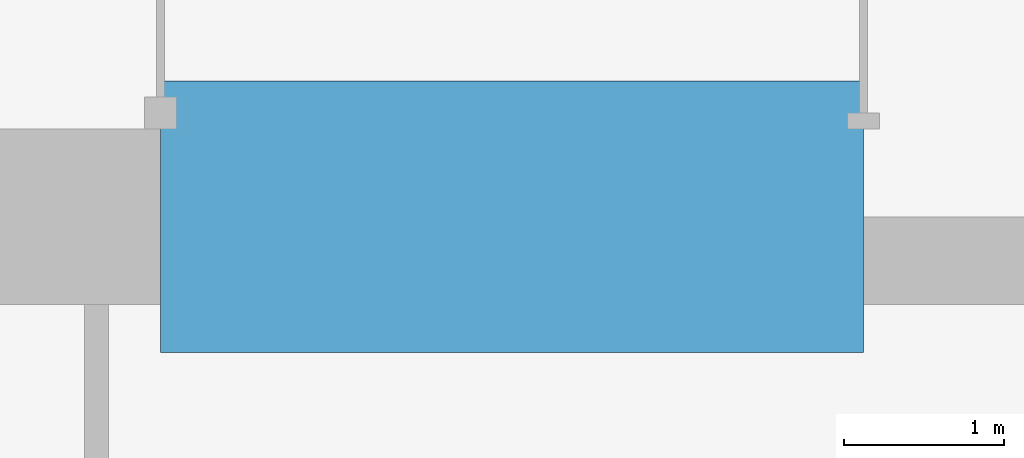
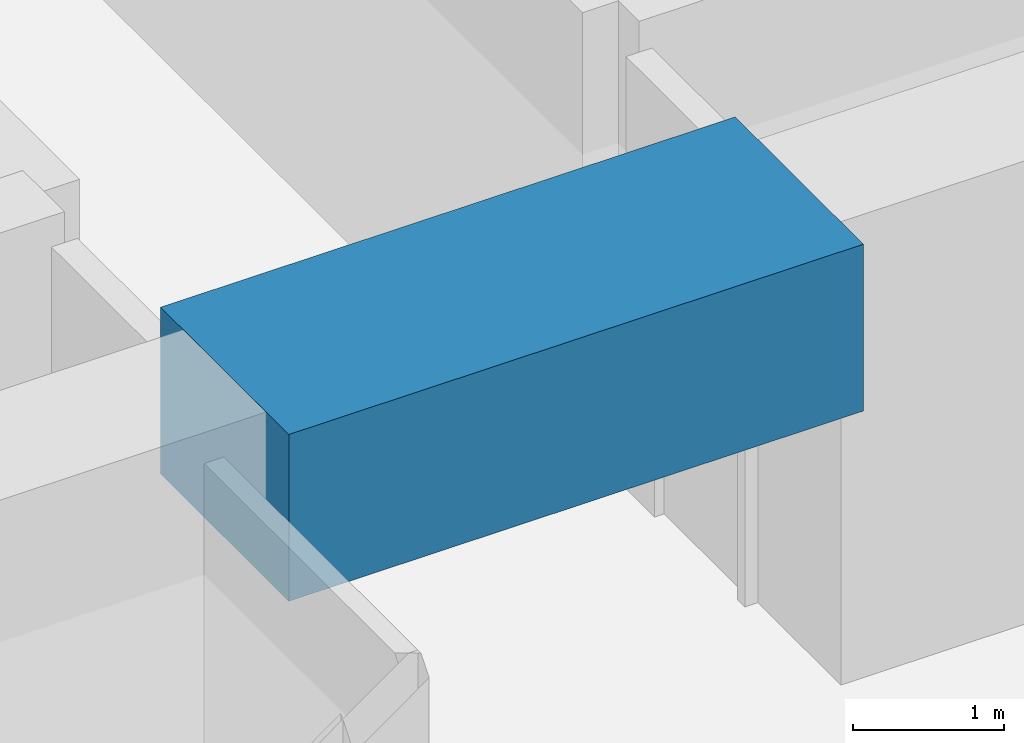
# One storey, part 13 of 45: 1 beam.
"""IFC4 building model written with IfcOpenShell, lengths in metres."""

import ifcopenshell
import ifcopenshell.guid

model = None  # the IFC model being written
_history = None  # IfcOwnerHistory: only IFC2X3 demands one
_inside = {}  # id of a spatial element -> (the spatial element, [elements in it])
_under = {}  # id of a project, library or spatial element -> (it, [spatial elements below it])
_declared = {}  # id of a project -> (the project, [libraries it declares])
_typed = {}  # id of a type object -> (the type object, [elements of that type])
_made_of = {}  # id of a material, layer set ... -> (it, [elements and type objects made of it])


def new_model(schema):
    """Start an empty IFC model of exactly this schema.

    Asked for "IFC4X3", IfcOpenShell would pick the latest addendum, in which some entities
    have other attributes; the version numbers below select the first issue.
    IFC2X3 requires an IfcOwnerHistory on every rooted entity: one is made here for all.
    """
    global model, _history
    if schema == "IFC4X3":
        model = ifcopenshell.file(schema_version=(4, 3, 0, 0))
    else:
        model = ifcopenshell.file(schema=schema)
    _inside.clear()
    _under.clear()
    _declared.clear()
    _typed.clear()
    _made_of.clear()
    _history = None
    if model.schema == "IFC2X3":
        org = make("IfcOrganization", Name="unknown")
        user = make(
            "IfcPersonAndOrganization",
            ThePerson=make("IfcPerson", FamilyName="unknown"),
            TheOrganization=org,
        )
        app = make(
            "IfcApplication",
            ApplicationDeveloper=org,
            Version="unknown",
            ApplicationFullName="unknown",
            ApplicationIdentifier="unknown",
        )
        _history = make(
            "IfcOwnerHistory",
            OwningUser=user,
            OwningApplication=app,
            ChangeAction="ADDED",
            CreationDate=0,
        )
    return model


def make(cls, **values):
    """One entity of the class cls with the attributes given. An attribute that is None is left unset."""
    return model.create_entity(
        cls, **{name: value for name, value in values.items() if value is not None}
    )


def rooted(cls, **values):
    """An entity with a GlobalId (a new one), such as an element, a storey or a relation."""
    return make(cls, GlobalId=ifcopenshell.guid.new(), OwnerHistory=_history, **values)


def si_unit(unit_type, name, prefix=None):
    """IfcSIUnit, for example si_unit("LENGTHUNIT", "METRE", prefix="MILLI")."""
    return make("IfcSIUnit", UnitType=unit_type, Prefix=prefix, Name=name)


def assignment(units):
    """IfcUnitAssignment: the units of a project."""
    return None if units is None else make("IfcUnitAssignment", Units=units)


def point(xyz):
    """IfcCartesianPoint."""
    return None if xyz is None else make("IfcCartesianPoint", Coordinates=xyz)


def direction(xyz):
    """IfcDirection."""
    return None if xyz is None else make("IfcDirection", DirectionRatios=xyz)


def frame(location, z_axis=None, x_axis=None):
    """IfcAxis2Placement3D, a coordinate frame: its origin and axes. An axis left out is left unset."""
    return make(
        "IfcAxis2Placement3D",
        Location=point(location),
        Axis=direction(z_axis),
        RefDirection=direction(x_axis),
    )


def frame_2d(location, x_axis=None):
    """IfcAxis2Placement2D, a coordinate frame in the plane: its origin and x axis."""
    return make(
        "IfcAxis2Placement2D", Location=point(location), RefDirection=direction(x_axis)
    )


def origin():
    """The frame at (0, 0, 0) with its axes left unset."""
    return frame((0.0, 0.0, 0.0))


def origin_2d():
    """The frame at (0, 0) in the plane with its x axis left unset."""
    return frame_2d((0.0, 0.0))


def place(relative_to, where):
    """IfcLocalPlacement: puts the frame where relative to a parent placement (None: the world)."""
    return make(
        "IfcLocalPlacement", PlacementRelTo=relative_to, RelativePlacement=where
    )


def context(
    kind, dimensions, precision=None, world=None, true_north=None, identifier=None
):
    """IfcGeometricRepresentationContext, for example the 3D "Model" context."""
    return make(
        "IfcGeometricRepresentationContext",
        ContextIdentifier=identifier,
        ContextType=kind,
        CoordinateSpaceDimension=dimensions,
        Precision=precision,
        WorldCoordinateSystem=world,
        TrueNorth=true_north,
    )


def subcontext(parent, identifier, kind, view, scale=None):
    """IfcGeometricRepresentationSubContext, for example "Body" below "Model"."""
    return make(
        "IfcGeometricRepresentationSubContext",
        ContextIdentifier=identifier,
        ContextType=kind,
        ParentContext=parent,
        TargetScale=scale,
        TargetView=view,
    )


def project(units=None, contexts=None):
    """IfcProject with its units and contexts."""
    return rooted(
        "IfcProject",
        Name="project",
        RepresentationContexts=contexts,
        UnitsInContext=assignment(units),
    )


def spatial(cls, under=None, at=None, **own):
    """A site, building, storey or space (cls), placed at a placement, below another one or the project."""
    s = rooted(cls, ObjectPlacement=at, **own)
    if under is not None:
        _under.setdefault(under.id(), (under, []))[1].append(s)
    return s


def profile(cls, at=None, kind="AREA", **sizes):
    """A parametric profile (cls). Its sizes go by their IFC names, for example OverallWidth=200.0."""
    return make(cls, ProfileType=kind, Position=at, **sizes)


def rectangle(**sizes):
    """IfcRectangleProfileDef."""
    return profile("IfcRectangleProfileDef", **sizes)


def extrude(swept, where, along, depth):
    """IfcExtrudedAreaSolid: the profile swept, set in the frame where, extruded along a direction by depth."""
    return make(
        "IfcExtrudedAreaSolid",
        SweptArea=swept,
        Position=where,
        ExtrudedDirection=direction(along),
        Depth=depth,
    )


def shape(context_of_items, identifier, shape_type, items):
    """IfcShapeRepresentation: the items that make up one representation, for example the "Body"."""
    return make(
        "IfcShapeRepresentation",
        ContextOfItems=context_of_items,
        RepresentationIdentifier=identifier,
        RepresentationType=shape_type,
        Items=items,
    )


def material(Name=None, Category=None):
    """IfcMaterial."""
    return make("IfcMaterial", Name=Name, Category=Category)


def material_profile(
    of_material, cross_section, Name=None, Category=None, Priority=None
):
    """IfcMaterialProfile: a cross section and its material."""
    return make(
        "IfcMaterialProfile",
        Name=Name,
        Material=of_material,
        Profile=cross_section,
        Priority=Priority,
        Category=Category,
    )


def profile_set(profiles, Name=None, composite=None):
    """IfcMaterialProfileSet."""
    return make(
        "IfcMaterialProfileSet",
        Name=Name,
        MaterialProfiles=profiles,
        CompositeProfile=composite,
    )


def made_of(thing, what):
    """Note that an element or type object is made of a material, layer set ...; save() writes the relation."""
    if what is not None:
        _made_of.setdefault(what.id(), (what, []))[1].append(thing)
    return thing


def type_object(cls, material=None, **own):
    """A type object (cls), such as IfcWallType, which elements share."""
    return made_of(rooted(cls, **own), material)


def element(
    cls,
    number,
    at=None,
    inside=None,
    cuts=None,
    type_object=None,
    material=None,
    context=None,
    identifier="Body",
    shape_type=None,
    held_by="IfcProductDefinitionShape",
    body=None,
    shapes=None,
    **own,
):
    """One element of the class cls, such as IfcWall. Its Tag is "e" and its number.

    at: its placement. inside: the storey or other place that contains it. cuts: it is an
    opening in that element (IfcRelVoidsElement). A single representation is given by context,
    identifier, shape_type and body (its items); several are given by shapes. held_by: the class
    of the entity that holds the representations. save() writes the other relations.
    """
    e = rooted(cls, Tag="e%d" % number, ObjectPlacement=at, **own)
    if body is not None:
        shapes = [shape(context, identifier, shape_type, body)]
    if shapes is not None:
        e.Representation = make(held_by, Representations=shapes)
    if inside is not None:
        _inside.setdefault(inside.id(), (inside, []))[1].append(e)
    if cuts is not None:
        rooted(
            "IfcRelVoidsElement", RelatingBuildingElement=cuts, RelatedOpeningElement=e
        )
    if type_object is not None:
        _typed.setdefault(type_object.id(), (type_object, []))[1].append(e)
    return made_of(e, material)


def aggregate(whole, parts):
    """IfcRelAggregates: a whole, such as a stair, and the parts it consists of."""
    return rooted("IfcRelAggregates", RelatingObject=whole, RelatedObjects=parts)


def save(model, path):
    """Write the relations noted so far, then the file.

    IfcRelAggregates (storeys below a building ...), IfcRelContainedInSpatialStructure (elements
    in a storey), IfcRelDefinesByType, IfcRelAssociatesMaterial and IfcRelDeclares: one each for
    every whole, place, type object, material and project.
    """
    for whole, parts in _under.values():
        aggregate(whole, parts)
    for where, things in _inside.values():
        rooted(
            "IfcRelContainedInSpatialStructure",
            RelatedElements=things,
            RelatingStructure=where,
        )
    for kind, things in _typed.values():
        rooted("IfcRelDefinesByType", RelatedObjects=things, RelatingType=kind)
    for what, things in _made_of.values():
        rooted("IfcRelAssociatesMaterial", RelatedObjects=things, RelatingMaterial=what)
    for by, libraries in _declared.values():
        rooted("IfcRelDeclares", RelatingContext=by, RelatedDefinitions=libraries)
    model.write(path)


model = new_model("IFC4")

# Units and contexts
model_context = context("Model", 3, precision=1e-05, world=origin(), true_north=direction((0.0, 1.0)))
body_context = subcontext(model_context, "Body", "Model", "MODEL_VIEW")
ifc_project = project(units=[si_unit("LENGTHUNIT", "METRE"), si_unit("AREAUNIT", "SQUARE_METRE"), si_unit("VOLUMEUNIT", "CUBIC_METRE"), si_unit("PLANEANGLEUNIT", "RADIAN"), si_unit("MASSUNIT", "GRAM", prefix="KILO")], contexts=[model_context])

# Site, building, storey
site_placement = place(None, origin())
site = spatial("IfcSite", under=ifc_project, at=site_placement, CompositionType="ELEMENT")
building_placement = place(site_placement, origin())
building = spatial("IfcBuilding", under=site, at=building_placement, Name="Rekha Terrace Tower", CompositionType="ELEMENT")
storey_placement = place(building_placement, frame((0.0, 0.0, 36.64990234375)))
storey = spatial("IfcBuildingStorey", under=building, at=storey_placement, Name="L08", CompositionType="ELEMENT", Elevation=36.64990234375)

# Beam
ifc_material = material(Name="Concrete M70", Category="concrete")
ifc_material_profile = material_profile(ifc_material, rectangle(XDim=1.699951171875, YDim=1.35009765625, at=origin_2d()), Name="RC 1700x1350")
ifc_profile_set = profile_set([ifc_material_profile], Name="Concrete M70")
beam_type = type_object("IfcBeamType", Name="LB1A 1700x1350 diagonally reinforced coupling beam", PredefinedType="LINTEL", material=ifc_profile_set)
beam_placement = place(storey_placement, frame((35.60009765625, 21.0, 3.0751953125), z_axis=(1.0, 0.0, 0.0), x_axis=(0.0, 1.0, 0.0)))
element("IfcBeam", 1, at=beam_placement, inside=storey, type_object=beam_type, Name="Coupling beam LB1A S L08", PredefinedType="LINTEL", context=body_context, shape_type="SweptSolid", body=[
    extrude(rectangle(XDim=1.699951171875, YDim=1.35009765625, at=origin_2d()), origin(), (0.0, 0.0, 1.0), 4.39990234375),
])

save(model, "model.ifc")
